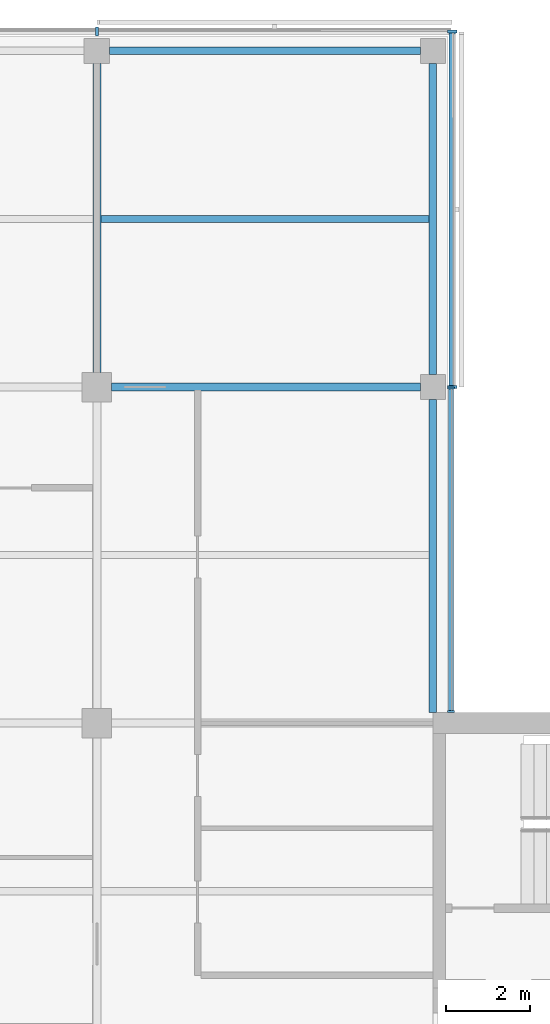
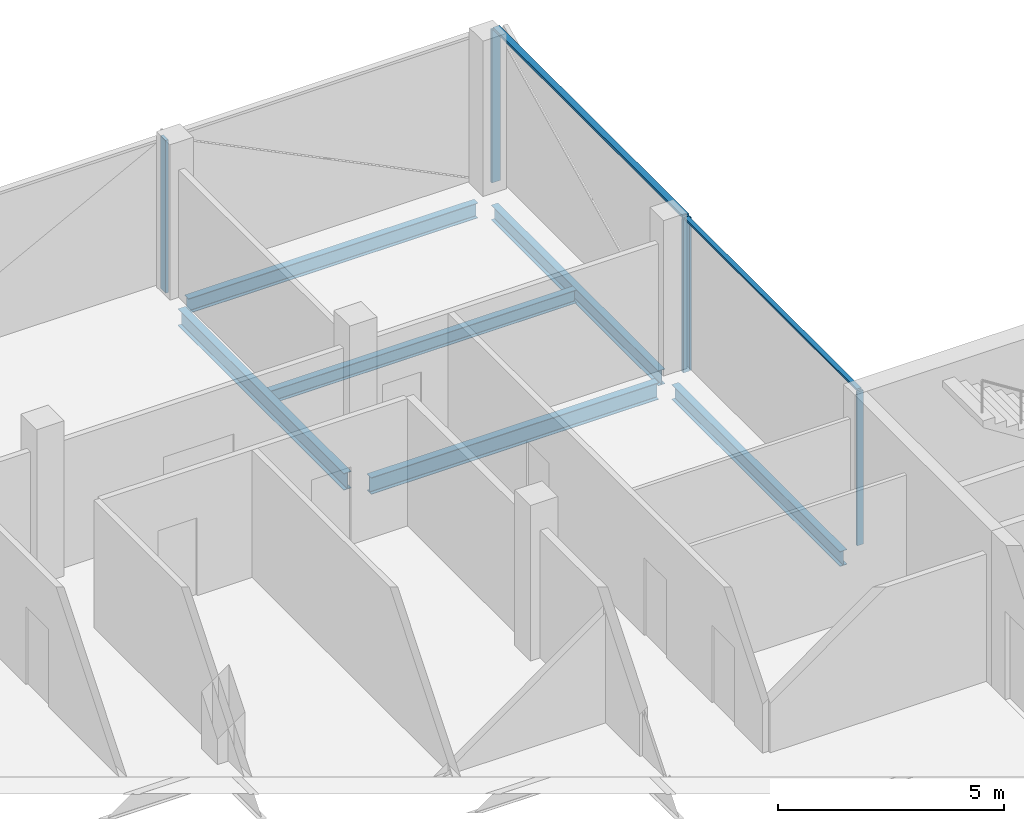
# One storey, part 7 of 16: 7 members, 6 beams, 3 elements without a shape of their own.
"""IFC4 building model written with IfcOpenShell, lengths in metres."""

from ifc_helpers import new_model, si_unit, direction, frame, origin, origin_2d, place, context, subcontext, project, spatial, rectangle, i_section, extrude, material, material_profile, profile_set, type_object, element, aggregate, save


model = new_model("IFC4")

# Units and contexts
model_context = context("Model", 3, precision=1e-05, world=origin(), true_north=direction((0.0, 1.0)))
body_context = subcontext(model_context, "Body", "Model", "MODEL_VIEW")
ifc_project = project(units=[si_unit("LENGTHUNIT", "METRE"), si_unit("AREAUNIT", "SQUARE_METRE"), si_unit("VOLUMEUNIT", "CUBIC_METRE"), si_unit("PLANEANGLEUNIT", "RADIAN"), si_unit("MASSUNIT", "GRAM", prefix="KILO")], contexts=[model_context])

# Site, building, storey
site_placement = place(None, origin())
site = spatial("IfcSite", under=ifc_project, at=site_placement, CompositionType="ELEMENT")
building_placement = place(site_placement, origin())
building = spatial("IfcBuilding", under=site, at=building_placement, Name="Crosswind Convention Tower", CompositionType="ELEMENT")
storey_placement = place(building_placement, frame((0.0, 0.0, 278.699951171875)))
storey = spatial("IfcBuildingStorey", under=building, at=storey_placement, Name="L60", CompositionType="ELEMENT", Elevation=278.699951171875)

# Beams
ifc_material_1 = material(Name="Steel S355", Category="steel")
ifc_material_profile_1 = material_profile(ifc_material_1, i_section(OverallWidth=0.177734375, OverallDepth=0.406494140625, WebThickness=0.0078125, FlangeThickness=0.0126953125, FilletRadius=0.01025390625, at=origin_2d()), Name="UB 406x178x60")
ifc_profile_set_1 = profile_set([ifc_material_profile_1], Name="Steel S355")
beam_type_1 = type_object("IfcBeamType", Name="Edge beam UB 406x178x60", PredefinedType="SPANDREL", material=ifc_profile_set_1)
beam_1_placement = place(storey_placement, frame((129.300048828125, 128.0, -0.503173828125), z_axis=(1.0, 0.0, 0.0), x_axis=(0.0, 1.0, 0.0)))
element("IfcBeam", 1, at=beam_1_placement, inside=storey, type_object=beam_type_1, Name="B15 L60 edge beam 10", PredefinedType="SPANDREL", context=body_context, shape_type="SweptSolid", body=[
    extrude(i_section(OverallWidth=0.177734375, OverallDepth=0.406494140625, WebThickness=0.0078125, FlangeThickness=0.0126953125, FilletRadius=0.01025390625, at=origin_2d()), origin(), (0.0, 0.0, 1.0), 7.39990234375),
])
beam_2_placement = place(storey_placement, frame((137.0, 112.25, -0.503173828125), z_axis=(0.0, 1.0, 0.0), x_axis=(-1.0, 0.0, 0.0)))
element("IfcBeam", 2, at=beam_2_placement, inside=storey, type_object=beam_type_1, Name="B15 L60 edge beam 13", PredefinedType="SPANDREL", context=body_context, shape_type="SweptSolid", body=[
    extrude(i_section(OverallWidth=0.177734375, OverallDepth=0.406494140625, WebThickness=0.0078125, FlangeThickness=0.0126953125, FilletRadius=0.01025390625, at=origin_2d()), origin(), (0.0, 0.0, 1.0), 7.449951171875),
])
beam_3_placement = place(storey_placement, frame((137.0, 120.300048828125, -0.503173828125), z_axis=(0.0, 1.0, 0.0), x_axis=(-1.0, 0.0, 0.0)))
element("IfcBeam", 3, at=beam_3_placement, inside=storey, type_object=beam_type_1, Name="B15 L60 edge beam 14", PredefinedType="SPANDREL", context=body_context, shape_type="SweptSolid", body=[
    extrude(i_section(OverallWidth=0.177734375, OverallDepth=0.406494140625, WebThickness=0.0078125, FlangeThickness=0.0126953125, FilletRadius=0.01025390625, at=origin_2d()), origin(), (0.0, 0.0, 1.0), 7.39990234375),
])
ifc_material_profile_2 = material_profile(ifc_material_1, i_section(OverallWidth=0.18994140625, OverallDepth=0.45361328125, WebThickness=0.008544921875, FlangeThickness=0.0126953125, FilletRadius=0.01025390625, at=origin_2d()), Name="UB 457x191x67")
ifc_profile_set_2 = profile_set([ifc_material_profile_2], Name="Steel S355")
beam_type_2 = type_object("IfcBeamType", Name="Girder UB 457x191x67", PredefinedType="BEAM", material=ifc_profile_set_2)
for number, where, z_axis, x_axis, name in (
    (4, (129.0, 120.35009765625, -0.52685546875), (0.0, 1.0, 0.0), (-1.0, 0.0, 0.0), "B1 L60 girder 22"),
    (5, (129.35009765625, 120.0, -0.52685546875), (1.0, 0.0, 0.0), (0.0, 1.0, 0.0), "B1 L60 girder 24"),
):
    element("IfcBeam", number, at=place(storey_placement, frame(where, z_axis=z_axis, x_axis=x_axis)), inside=storey, type_object=beam_type_2, Name=name, PredefinedType="BEAM", context=body_context, shape_type="SweptSolid", body=[
        extrude(i_section(OverallWidth=0.18994140625, OverallDepth=0.45361328125, WebThickness=0.008544921875, FlangeThickness=0.0126953125, FilletRadius=0.01025390625, at=origin_2d()), origin(), (0.0, 0.0, 1.0), 7.349853515625),
    ])

# Curtain wall, members
ifc_material_2 = material(Name="Aluminium unitised curtain wall", Category="aluminium")
curtain_wall_type_1 = type_object("IfcCurtainWallType", Name="CORE END SLOT WALL 160", PredefinedType="USERDEFINED", material=ifc_material_2)
curtain_wall_1_placement = place(storey_placement, origin())
curtain_wall_1 = element("IfcCurtainWall", 6, at=curtain_wall_1_placement, inside=storey, type_object=curtain_wall_type_1, Name="CW6 L60 N-E.1-1 slot", ObjectType="UNITISED", PredefinedType="USERDEFINED")
ifc_material_3 = material(Name="Aluminium mullion", Category="aluminium")
ifc_material_profile_3 = material_profile(ifc_material_3, rectangle(XDim=0.159912109375, YDim=0.050048828125, at=origin_2d()), Name="AL 160X50")
ifc_profile_set_3 = profile_set([ifc_material_profile_3], Name="Aluminium mullion")
member_type_1 = type_object("IfcMemberType", Name="MULLION 50X160", PredefinedType="MULLION", material=ifc_profile_set_3)
member_1_placement = place(storey_placement, frame((137.429931640625, 112.27490234375, -0.300048828125), z_axis=(0.0, 0.0, 1.0), x_axis=(1.0, 0.0, 0.0)))
member_1 = element("IfcMember", 7, at=member_1_placement, type_object=member_type_1, Name="CW6 mullion 1", PredefinedType="MULLION", context=body_context, shape_type="SweptSolid", body=[
    extrude(rectangle(XDim=0.159912109375, YDim=0.050048828125, at=origin_2d()), origin(), (0.0, 0.0, 1.0), 4.150146484375),
])
member_2_placement = place(storey_placement, frame((137.429931640625, 119.97509765625, -0.300048828125), z_axis=(0.0, 0.0, 1.0), x_axis=(1.0, 0.0, 0.0)))
member_2 = element("IfcMember", 8, at=member_2_placement, type_object=member_type_1, Name="CW6 mullion 2", PredefinedType="MULLION", context=body_context, shape_type="SweptSolid", body=[
    extrude(rectangle(XDim=0.159912109375, YDim=0.050048828125, at=origin_2d()), origin(), (0.0, 0.0, 1.0), 4.150146484375),
])

curtain_wall_type_2 = type_object("IfcCurtainWallType", Name="OFFICE UNITISED WALL 220", PredefinedType="USERDEFINED", material=ifc_material_2)
curtain_wall_2_placement = place(storey_placement, origin())
curtain_wall_2 = element("IfcCurtainWall", 9, at=curtain_wall_2_placement, inside=storey, type_object=curtain_wall_type_2, Name="CW3 L60 N-E 1", ObjectType="UNITISED", PredefinedType="USERDEFINED")
ifc_material_profile_4 = material_profile(ifc_material_3, rectangle(XDim=0.219970703125, YDim=0.070068359375, at=origin_2d()), Name="AL 220X70")
ifc_profile_set_4 = profile_set([ifc_material_profile_4], Name="Aluminium mullion")
member_type_2 = type_object("IfcMemberType", Name="MULLION 70X220", PredefinedType="MULLION", material=ifc_profile_set_4)
member_3_placement = place(storey_placement, frame((137.4599609375, 120.0, -0.300048828125), z_axis=(0.0, 0.0, 1.0), x_axis=(1.0, 0.0, 0.0)))
member_3 = element("IfcMember", 10, at=member_3_placement, type_object=member_type_2, Name="CW3 mullion 1", PredefinedType="MULLION", context=body_context, shape_type="SweptSolid", body=[
    extrude(rectangle(XDim=0.219970703125, YDim=0.070068359375, at=origin_2d()), origin(), (0.0, 0.0, 1.0), 4.130126953125),
])
member_4_placement = place(storey_placement, frame((137.4599609375, 128.4599609375, -0.300048828125), z_axis=(0.0, 0.0, 1.0), x_axis=(1.0, 0.0, 0.0)))
member_4 = element("IfcMember", 11, at=member_4_placement, type_object=member_type_2, Name="CW3 mullion 2", PredefinedType="MULLION", context=body_context, shape_type="SweptSolid", body=[
    extrude(rectangle(XDim=0.219970703125, YDim=0.070068359375, at=origin_2d()), origin(), (0.0, 0.0, 1.0), 4.130126953125),
])

# Curtain wall, member
curtain_wall_3_placement = place(storey_placement, origin())
curtain_wall_3 = element("IfcCurtainWall", 12, at=curtain_wall_3_placement, inside=storey, type_object=curtain_wall_type_2, Name="CW3 L60 N-TIP 1", ObjectType="UNITISED", PredefinedType="USERDEFINED")
member_5_placement = place(storey_placement, frame((129.0, 128.4599609375, -0.300048828125), z_axis=(0.0, 0.0, 1.0), x_axis=(0.0, 1.0, 0.0)))
member_5 = element("IfcMember", 13, at=member_5_placement, type_object=member_type_2, Name="CW3 mullion 2", PredefinedType="MULLION", context=body_context, shape_type="SweptSolid", body=[
    extrude(rectangle(XDim=0.219970703125, YDim=0.070068359375, at=origin_2d()), origin(), (0.0, 0.0, 1.0), 4.130126953125),
])
aggregate(curtain_wall_3, [member_5])

# Beam
ifc_material_profile_5 = material_profile(ifc_material_1, i_section(OverallWidth=0.17138671875, OverallDepth=0.355712890625, WebThickness=0.00732421875, FlangeThickness=0.011474609375, FilletRadius=0.01025390625, at=origin_2d()), Name="UB 356x171x51")
ifc_profile_set_5 = profile_set([ifc_material_profile_5], Name="Steel S355")
beam_type_3 = type_object("IfcBeamType", Name="Secondary beam UB 356x171x51", PredefinedType="JOIST", material=ifc_profile_set_5)
beam_4_placement = place(storey_placement, frame((129.094970703125, 124.0, -0.477783203125), z_axis=(1.0, 0.0, 0.0), x_axis=(0.0, 1.0, 0.0)))
element("IfcBeam", 14, at=beam_4_placement, inside=storey, type_object=beam_type_3, Name="B8 L60 secondary beam 21", PredefinedType="JOIST", context=body_context, shape_type="SweptSolid", body=[
    extrude(i_section(OverallWidth=0.17138671875, OverallDepth=0.355712890625, WebThickness=0.00732421875, FlangeThickness=0.011474609375, FilletRadius=0.01025390625, at=origin_2d()), origin(), (0.0, 0.0, 1.0), 7.816162109375),
])

# Member
ifc_material_4 = material(Name="Aluminium transom", Category="aluminium")
ifc_material_profile_6 = material_profile(ifc_material_4, rectangle(XDim=0.1201171875, YDim=0.050048828125, at=origin_2d()), Name="AL 120X50")
ifc_profile_set_6 = profile_set([ifc_material_profile_6], Name="Aluminium transom")
member_type_3 = type_object("IfcMemberType", Name="TRANSOM 50X120", PredefinedType="USERDEFINED", material=ifc_profile_set_6)
member_6_placement = place(storey_placement, frame((137.429931640625, 112.300048828125, 3.875), z_axis=(0.0, 1.0, 0.0), x_axis=(-1.0, 0.0, 0.0)))
member_6 = element("IfcMember", 15, at=member_6_placement, type_object=member_type_3, Name="CW6 transom", ObjectType="TRANSOM", PredefinedType="USERDEFINED", context=body_context, shape_type="SweptSolid", body=[
    extrude(rectangle(XDim=0.1201171875, YDim=0.050048828125, at=origin_2d()), origin(), (0.0, 0.0, 1.0), 7.64990234375),
])

aggregate(curtain_wall_1, [member_1, member_2, member_6])

ifc_material_profile_7 = material_profile(ifc_material_4, rectangle(XDim=0.159912109375, YDim=0.070068359375, at=origin_2d()), Name="AL 160X70")
ifc_profile_set_7 = profile_set([ifc_material_profile_7], Name="Aluminium transom")
member_type_4 = type_object("IfcMemberType", Name="TRANSOM 70X160", PredefinedType="USERDEFINED", material=ifc_profile_set_7)
member_7_placement = place(storey_placement, frame((137.4599609375, 120.034912109375, 3.864990234375), z_axis=(0.0, 1.0, 0.0), x_axis=(-1.0, 0.0, 0.0)))
member_7 = element("IfcMember", 16, at=member_7_placement, type_object=member_type_4, Name="CW3 transom", ObjectType="TRANSOM", PredefinedType="USERDEFINED", context=body_context, shape_type="SweptSolid", body=[
    extrude(rectangle(XDim=0.159912109375, YDim=0.070068359375, at=origin_2d()), origin(), (0.0, 0.0, 1.0), 8.39013671875),
])

aggregate(curtain_wall_2, [member_3, member_4, member_7])

save(model, "model.ifc")
